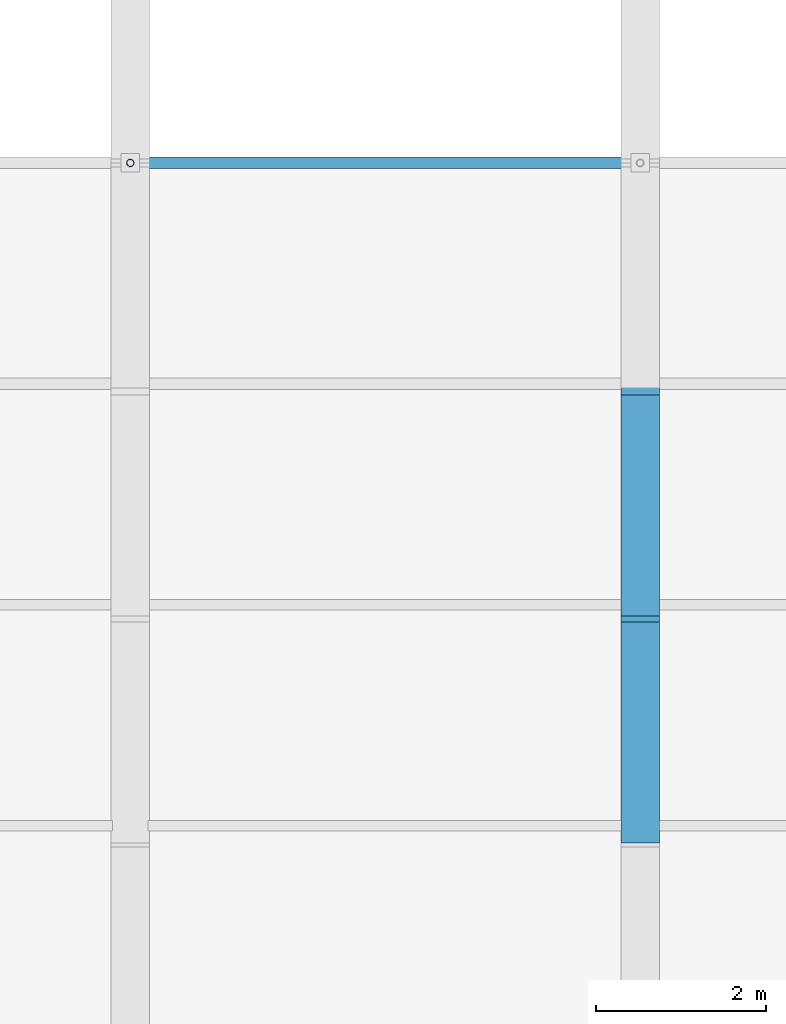
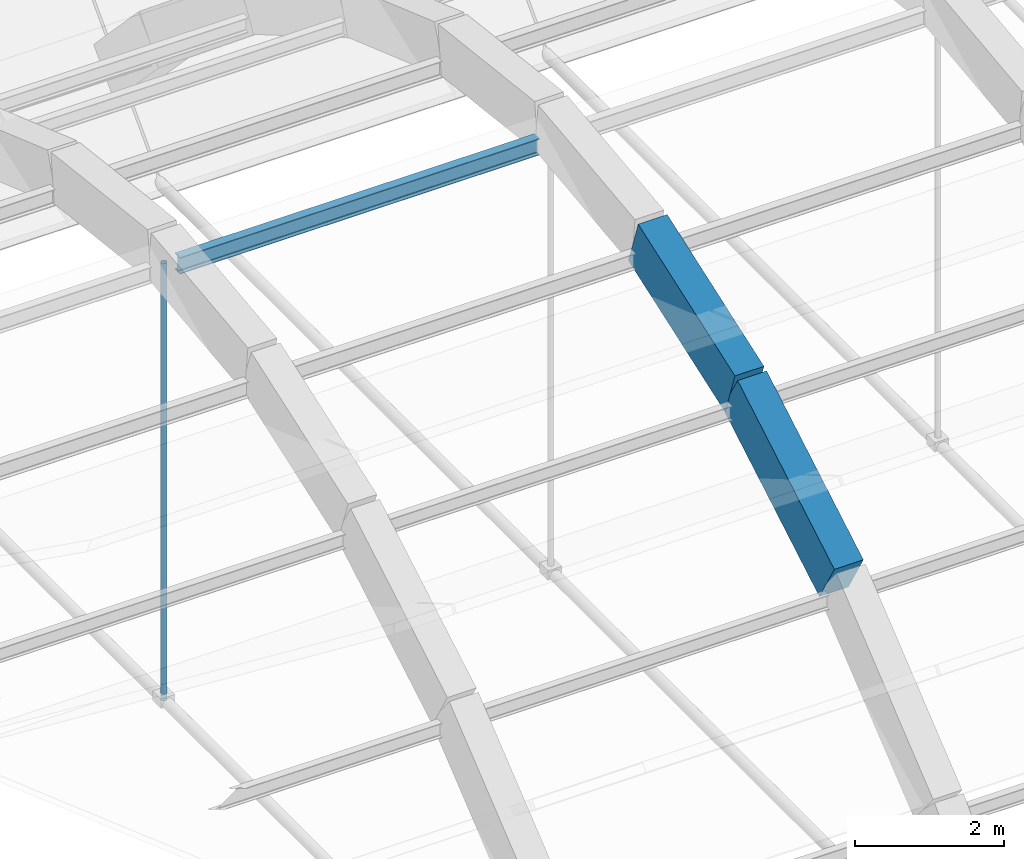
# One storey, part 28 of 123: 3 beams, 1 member.
"""IFC4 building model written with IfcOpenShell, lengths in metres."""

from ifc_helpers import new_model, si_unit, direction, frame, origin, origin_2d, place, context, subcontext, project, spatial, rectangle, hollow_circle, i_section, extrude, material, material_profile, profile_set, type_object, element, save


model = new_model("IFC4")

# Units and contexts
model_context = context("Model", 3, precision=1e-05, world=origin(), true_north=direction((0.0, 1.0)))
body_context = subcontext(model_context, "Body", "Model", "MODEL_VIEW")
ifc_project = project(units=[si_unit("LENGTHUNIT", "METRE"), si_unit("AREAUNIT", "SQUARE_METRE"), si_unit("VOLUMEUNIT", "CUBIC_METRE"), si_unit("PLANEANGLEUNIT", "RADIAN"), si_unit("MASSUNIT", "GRAM", prefix="KILO"), si_unit("POWERUNIT", "WATT"), si_unit("THERMODYNAMICTEMPERATUREUNIT", "KELVIN")], contexts=[model_context])

# Site, building, storey
site_placement = place(None, origin())
site = spatial("IfcSite", under=ifc_project, at=site_placement, CompositionType="ELEMENT")
building_placement = place(site_placement, origin())
building = spatial("IfcBuilding", under=site, at=building_placement, Name="Ruvembo Vaulted Housing Court", CompositionType="ELEMENT")
storey_placement = place(building_placement, frame((0.0, 0.0, 7.699951171875)))
storey = spatial("IfcBuildingStorey", under=building, at=storey_placement, Name="L02", CompositionType="ELEMENT", Elevation=7.699951171875)

# Beams
ifc_material_1 = material(Name="Concrete C35/45", Category="concrete")
ifc_material_profile_1 = material_profile(ifc_material_1, rectangle(XDim=0.449951171875, YDim=0.800048828125, at=origin_2d()), Name="RC 450x800")
ifc_profile_set_1 = profile_set([ifc_material_profile_1], Name="Concrete C35/45")
beam_type_1 = type_object("IfcBeamType", Name="AR-RC-450x800", PredefinedType="BEAM", material=ifc_profile_set_1)
beam_1_placement = place(storey_placement, frame((90.0, 47.199951171875, 3.364013671875), z_axis=(0.0, 0.863302227703, 0.504687292928), x_axis=(-1.0, 0.0, 0.0)))
element("IfcBeam", 1, at=beam_1_placement, inside=storey, type_object=beam_type_1, Name="Community Hall Parabolic Arch Rib AR-05 Seg 3", PredefinedType="BEAM", context=body_context, shape_type="SweptSolid", body=[
    extrude(rectangle(XDim=0.449951171875, YDim=0.800048828125, at=origin_2d()), origin(), (0.0, 0.0, 1.0), 3.01171875),
])
beam_2_placement = place(storey_placement, frame((90.0, 49.800048828125, 4.884033203125), z_axis=(0.0, 0.943613580104, 0.331048956265), x_axis=(-1.0, 0.0, 0.0)))
element("IfcBeam", 2, at=beam_2_placement, inside=storey, type_object=beam_type_1, Name="Community Hall Parabolic Arch Rib AR-05 Seg 4", PredefinedType="BEAM", context=body_context, shape_type="SweptSolid", body=[
    extrude(rectangle(XDim=0.449951171875, YDim=0.800048828125, at=origin_2d()), origin(), (0.0, 0.0, 1.0), 2.755126953125),
])
ifc_material_2 = material(Name="Steel S355J2", Category="steel")
ifc_material_profile_2 = material_profile(ifc_material_2, i_section(OverallWidth=0.135009765625, OverallDepth=0.27001953125, WebThickness=0.006591796875, FlangeThickness=0.01025390625, FilletRadius=0.014892578125, at=origin_2d()), Name="IPE 270")
ifc_profile_set_2 = profile_set([ifc_material_profile_2], Name="Steel S355J2")
beam_type_2 = type_object("IfcBeamType", Name="BM-ST-IPE270", PredefinedType="BEAM", material=ifc_profile_set_2)
beam_3_placement = place(storey_placement, frame((84.2099609375, 55.0, 5.820068359375), z_axis=(1.0, 0.0, 0.0), x_axis=(0.0, 1.0, 0.0)))
element("IfcBeam", 3, at=beam_3_placement, inside=storey, type_object=beam_type_2, Name="Vault Bay 4 Steel Purlin K5", PredefinedType="BEAM", context=body_context, shape_type="SweptSolid", body=[
    extrude(i_section(OverallWidth=0.135009765625, OverallDepth=0.27001953125, WebThickness=0.006591796875, FlangeThickness=0.01025390625, FilletRadius=0.014892578125, at=origin_2d()), origin(), (0.0, 0.0, 1.0), 5.580078125),
])

# Member
ifc_material_profile_3 = material_profile(ifc_material_2, hollow_circle(Radius=0.04443359375, WallThickness=0.0048828125, at=origin_2d()), Name="CHS 88.9x5")
ifc_profile_set_3 = profile_set([ifc_material_profile_3], Name="Steel S355J2")
member_type = type_object("IfcMemberType", Name="MEM-HGR-CHS89", PredefinedType="STRUT", material=ifc_profile_set_3)
member_placement = place(storey_placement, frame((84.0, 55.0, -1.25), z_axis=(0.0, 0.0, 1.0), x_axis=(1.0, 0.0, 0.0)))
element("IfcMember", 4, at=member_placement, inside=storey, type_object=member_type, Name="Vault Crown Hanger Rod VH-04", PredefinedType="STRUT", context=body_context, shape_type="SweptSolid", body=[
    extrude(hollow_circle(Radius=0.04443359375, WallThickness=0.0048828125, at=origin_2d()), origin(), (0.0, 0.0, 1.0), 7.170166015625),
])

save(model, "model.ifc")
